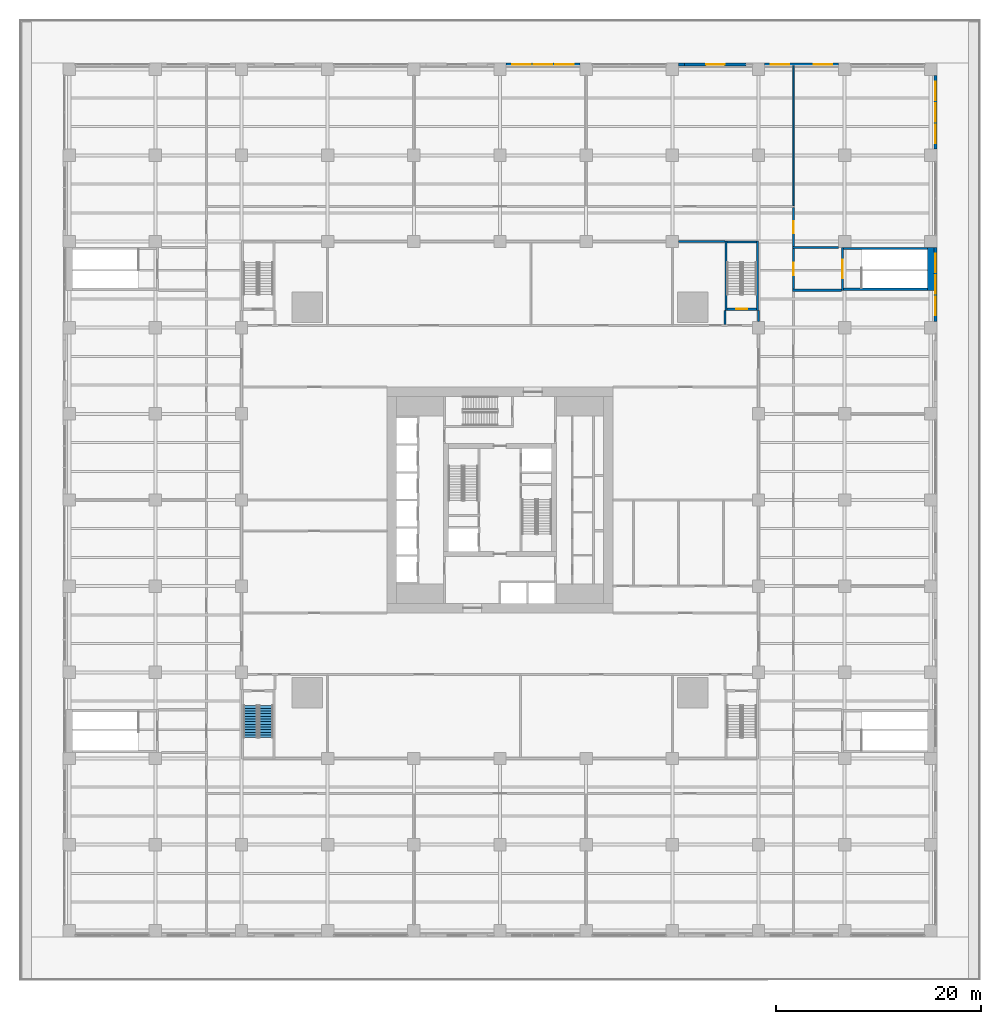
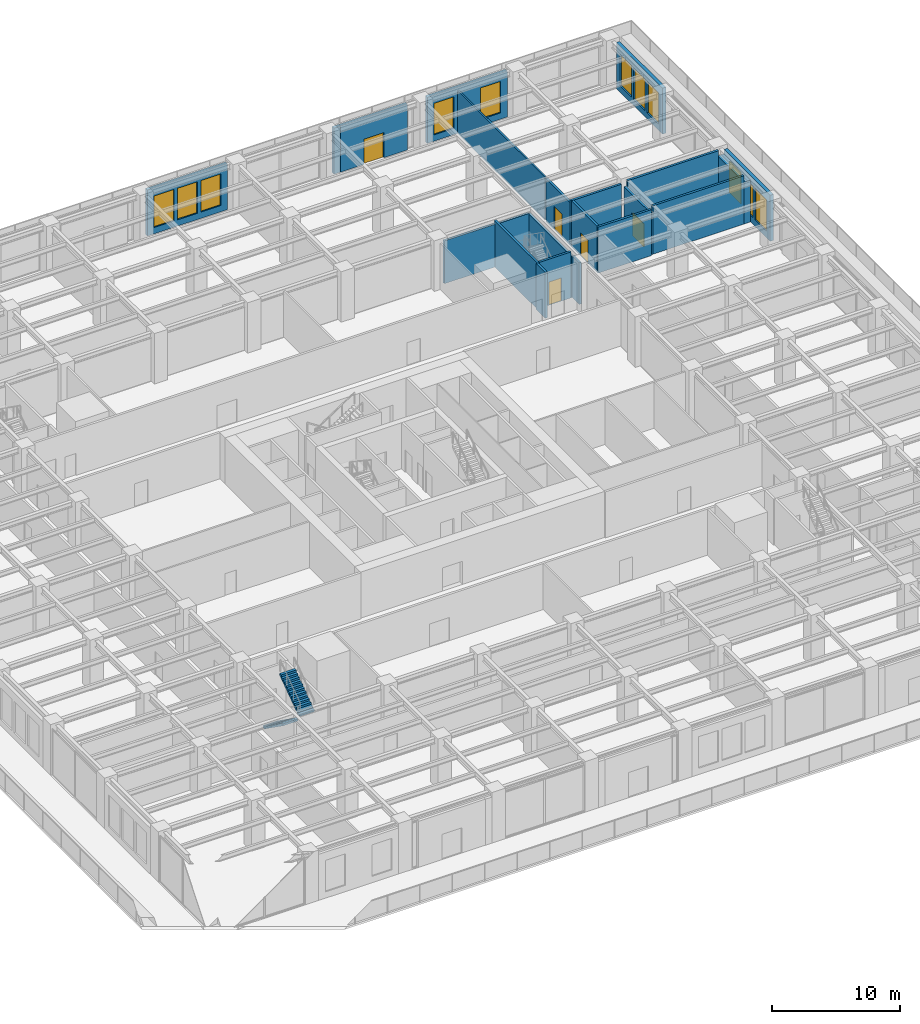
# One storey, part 44 of 53: 22 walls, 11 windows, 5 doors, 2 stair flights, 16 openings, 1 element without a shape of its own.
"""IFC4 building model written with IfcOpenShell, lengths in metres."""

from ifc_helpers import new_model, si_unit, direction, frame, frame_2d, origin, place, context, subcontext, project, spatial, polyline, rectangle, outline, extrude, material, layer, layer_set, type_object, element, fill, aggregate, save


model = new_model("IFC4")

# Units and contexts
model_context = context("Model", 3, precision=1e-05, world=origin(), true_north=direction((0.0, 1.0)))
body_context = subcontext(model_context, "Body", "Model", "MODEL_VIEW")
ifc_project = project(units=[si_unit("LENGTHUNIT", "METRE"), si_unit("AREAUNIT", "SQUARE_METRE"), si_unit("VOLUMEUNIT", "CUBIC_METRE"), si_unit("PLANEANGLEUNIT", "RADIAN"), si_unit("MASSUNIT", "GRAM", prefix="KILO")], contexts=[model_context])

# Site, building, storey
site_placement = place(None, origin())
site = spatial("IfcSite", under=ifc_project, at=site_placement, CompositionType="ELEMENT")
building_placement = place(site_placement, origin())
building = spatial("IfcBuilding", under=site, at=building_placement, Name="Khepri Terraces", CompositionType="ELEMENT")
storey_placement = place(building_placement, frame((0.0, 0.0, 7.199951171875)))
storey = spatial("IfcBuildingStorey", under=building, at=storey_placement, Name="L01", CompositionType="ELEMENT", Elevation=7.199951171875)

# Wall, openings, windows
ifc_material_1 = material(Name="Precast concrete C50/60 warm stone", Category="masonry")
ifc_layer_1 = layer(ifc_material_1, 0.300048828125, Name="Precast concrete C50/60 warm stone", Category="masonry")
ifc_layer_set_1 = layer_set([ifc_layer_1], Name="Precast concrete C50/60 warm stone")
wall_type_1 = type_object("IfcWallType", Name="WL-EXT-PRECAST-300", PredefinedType="STANDARD", material=ifc_layer_set_1)
wall_1_placement = place(storey_placement, frame((42.449951171875, 17.39990234375, 0.0), z_axis=(0.0, 0.0, 1.0), x_axis=(0.0, 1.0, 0.0)))
wall_1 = element("IfcWall", 1, at=wall_1_placement, inside=storey, type_object=wall_type_1, Name="External wall L01 E", PredefinedType="STANDARD", context=body_context, shape_type="SweptSolid", body=[
    extrude(rectangle(XDim=7.2001953125, YDim=0.300048828125, at=frame_2d((3.60009765625, 0.0))), origin(), (0.0, 0.0, 1.0), 4.380126953125),
])
opening_1_placement = place(wall_1_placement, frame((0.60009765625, 0.0, 0.60009765625)))
opening_1 = element("IfcOpeningElement", 2, at=opening_1_placement, cuts=wall_1, Name="Opening WP1", PredefinedType="OPENING", context=body_context, shape_type="SweptSolid", body=[
    extrude(rectangle(XDim=1.800048828125, YDim=3.0, at=frame_2d((0.89990234375, 1.5))), frame((0.0, 0.16015625, 0.0), z_axis=(0.0, -1.0, 0.0), x_axis=(1.0, 0.0, 0.0)), (0.0, 0.0, 1.0), 0.320068359375),
])
opening_2_placement = place(wall_1_placement, frame((2.699951171875, 0.0, 0.60009765625)))
opening_2 = element("IfcOpeningElement", 3, at=opening_2_placement, cuts=wall_1, Name="Opening WP1", PredefinedType="OPENING", context=body_context, shape_type="SweptSolid", body=[
    extrude(rectangle(XDim=1.800048828125, YDim=3.0, at=frame_2d((0.89990234375, 1.5))), frame((0.0, 0.16015625, 0.0), z_axis=(0.0, -1.0, 0.0), x_axis=(1.0, 0.0, 0.0)), (0.0, 0.0, 1.0), 0.320068359375),
])
opening_3_placement = place(wall_1_placement, frame((4.800048828125, 0.0, 0.60009765625)))
opening_3 = element("IfcOpeningElement", 4, at=opening_3_placement, cuts=wall_1, Name="Opening WP1", PredefinedType="OPENING", context=body_context, shape_type="SweptSolid", body=[
    extrude(rectangle(XDim=1.800048828125, YDim=3.0, at=frame_2d((0.89990234375, 1.5))), frame((0.0, 0.16015625, 0.0), z_axis=(0.0, -1.0, 0.0), x_axis=(1.0, 0.0, 0.0)), (0.0, 0.0, 1.0), 0.320068359375),
])
ifc_material_2 = material(Name="Clear glass", Category="glass")
window_type = type_object("IfcWindowType", Name="WIN-POD-1800x3000", PartitioningType="SINGLE_PANEL", PredefinedType="WINDOW", material=ifc_material_2)
window_1_placement = place(opening_1_placement, origin())
window_1 = element("IfcWindow", 5, at=window_1_placement, inside=storey, type_object=window_type, Name="Window L01 E", OverallHeight=3.0, OverallWidth=1.800048828125, PartitioningType="SINGLE_PANEL", PredefinedType="WINDOW", context=body_context, shape_type="SweptSolid", body=[
    extrude(rectangle(XDim=1.800048828125, YDim=3.0, at=frame_2d((0.89990234375, 1.5))), frame((0.0, 0.030029296875, 0.0), z_axis=(0.0, -1.0, 0.0), x_axis=(1.0, 0.0, 0.0)), (0.0, 0.0, 1.0), 0.06005859375),
])
fill(opening_1, window_1)
window_2_placement = place(opening_2_placement, origin())
window_2 = element("IfcWindow", 6, at=window_2_placement, inside=storey, type_object=window_type, Name="Window L01 E", OverallHeight=3.0, OverallWidth=1.800048828125, PartitioningType="SINGLE_PANEL", PredefinedType="WINDOW", context=body_context, shape_type="SweptSolid", body=[
    extrude(rectangle(XDim=1.800048828125, YDim=3.0, at=frame_2d((0.89990234375, 1.5))), frame((0.0, 0.030029296875, 0.0), z_axis=(0.0, -1.0, 0.0), x_axis=(1.0, 0.0, 0.0)), (0.0, 0.0, 1.0), 0.06005859375),
])
fill(opening_2, window_2)
window_3_placement = place(opening_3_placement, origin())
window_3 = element("IfcWindow", 7, at=window_3_placement, inside=storey, type_object=window_type, Name="Window L01 E", OverallHeight=3.0, OverallWidth=1.800048828125, PartitioningType="SINGLE_PANEL", PredefinedType="WINDOW", context=body_context, shape_type="SweptSolid", body=[
    extrude(rectangle(XDim=1.800048828125, YDim=3.0, at=frame_2d((0.89990234375, 1.5))), frame((0.0, 0.030029296875, 0.0), z_axis=(0.0, -1.0, 0.0), x_axis=(1.0, 0.0, 0.0)), (0.0, 0.0, 1.0), 0.06005859375),
])
fill(opening_3, window_3)

wall_2_placement = place(storey_placement, frame((42.449951171875, 34.199951171875, 0.0), z_axis=(0.0, 0.0, 1.0), x_axis=(0.0, 1.0, 0.0)))
wall_2 = element("IfcWall", 8, at=wall_2_placement, inside=storey, type_object=wall_type_1, Name="External wall L01 E", PredefinedType="STANDARD", context=body_context, shape_type="SweptSolid", body=[
    extrude(rectangle(XDim=7.199951171875, YDim=0.300048828125, at=frame_2d((3.60009765625, 0.0))), origin(), (0.0, 0.0, 1.0), 4.380126953125),
])
opening_4_placement = place(wall_2_placement, frame((0.60009765625, 0.0, 0.60009765625)))
opening_4 = element("IfcOpeningElement", 9, at=opening_4_placement, cuts=wall_2, Name="Opening WP1", PredefinedType="OPENING", context=body_context, shape_type="SweptSolid", body=[
    extrude(rectangle(XDim=1.800048828125, YDim=3.0, at=frame_2d((0.89990234375, 1.5))), frame((0.0, 0.16015625, 0.0), z_axis=(0.0, -1.0, 0.0), x_axis=(1.0, 0.0, 0.0)), (0.0, 0.0, 1.0), 0.320068359375),
])
opening_5_placement = place(wall_2_placement, frame((2.699951171875, 0.0, 0.60009765625)))
opening_5 = element("IfcOpeningElement", 10, at=opening_5_placement, cuts=wall_2, Name="Opening WP1", PredefinedType="OPENING", context=body_context, shape_type="SweptSolid", body=[
    extrude(rectangle(XDim=1.800048828125, YDim=3.0, at=frame_2d((0.89990234375, 1.5))), frame((0.0, 0.16015625, 0.0), z_axis=(0.0, -1.0, 0.0), x_axis=(1.0, 0.0, 0.0)), (0.0, 0.0, 1.0), 0.320068359375),
])
opening_6_placement = place(wall_2_placement, frame((4.800048828125, 0.0, 0.60009765625)))
opening_6 = element("IfcOpeningElement", 11, at=opening_6_placement, cuts=wall_2, Name="Opening WP1", PredefinedType="OPENING", context=body_context, shape_type="SweptSolid", body=[
    extrude(rectangle(XDim=1.800048828125, YDim=3.0, at=frame_2d((0.89990234375, 1.5))), frame((0.0, 0.16015625, 0.0), z_axis=(0.0, -1.0, 0.0), x_axis=(1.0, 0.0, 0.0)), (0.0, 0.0, 1.0), 0.320068359375),
])
window_4_placement = place(opening_4_placement, origin())
window_4 = element("IfcWindow", 12, at=window_4_placement, inside=storey, type_object=window_type, Name="Window L01 E", OverallHeight=3.0, OverallWidth=1.800048828125, PartitioningType="SINGLE_PANEL", PredefinedType="WINDOW", context=body_context, shape_type="SweptSolid", body=[
    extrude(rectangle(XDim=1.800048828125, YDim=3.0, at=frame_2d((0.89990234375, 1.5))), frame((0.0, 0.030029296875, 0.0), z_axis=(0.0, -1.0, 0.0), x_axis=(1.0, 0.0, 0.0)), (0.0, 0.0, 1.0), 0.06005859375),
])
fill(opening_4, window_4)
window_5_placement = place(opening_5_placement, origin())
window_5 = element("IfcWindow", 13, at=window_5_placement, inside=storey, type_object=window_type, Name="Window L01 E", OverallHeight=3.0, OverallWidth=1.800048828125, PartitioningType="SINGLE_PANEL", PredefinedType="WINDOW", context=body_context, shape_type="SweptSolid", body=[
    extrude(rectangle(XDim=1.800048828125, YDim=3.0, at=frame_2d((0.89990234375, 1.5))), frame((0.0, 0.030029296875, 0.0), z_axis=(0.0, -1.0, 0.0), x_axis=(1.0, 0.0, 0.0)), (0.0, 0.0, 1.0), 0.06005859375),
])
fill(opening_5, window_5)
window_6_placement = place(opening_6_placement, origin())
window_6 = element("IfcWindow", 14, at=window_6_placement, inside=storey, type_object=window_type, Name="Window L01 E", OverallHeight=3.0, OverallWidth=1.800048828125, PartitioningType="SINGLE_PANEL", PredefinedType="WINDOW", context=body_context, shape_type="SweptSolid", body=[
    extrude(rectangle(XDim=1.800048828125, YDim=3.0, at=frame_2d((0.89990234375, 1.5))), frame((0.0, 0.030029296875, 0.0), z_axis=(0.0, -1.0, 0.0), x_axis=(1.0, 0.0, 0.0)), (0.0, 0.0, 1.0), 0.06005859375),
])
fill(opening_6, window_6)

wall_3_placement = place(storey_placement, frame((33.0, 42.449951171875, 0.0), z_axis=(0.0, 0.0, 1.0), x_axis=(-1.0, 0.0, 0.0)))
wall_3 = element("IfcWall", 15, at=wall_3_placement, inside=storey, type_object=wall_type_1, Name="External wall L01 N", PredefinedType="STANDARD", context=body_context, shape_type="SweptSolid", body=[
    extrude(rectangle(XDim=7.199951171875, YDim=0.300048828125, at=frame_2d((3.60009765625, 0.0))), origin(), (0.0, 0.0, 1.0), 4.380126953125),
])
opening_7_placement = place(wall_3_placement, frame((0.60009765625, 0.0, 0.60009765625)))
opening_7 = element("IfcOpeningElement", 16, at=opening_7_placement, cuts=wall_3, Name="Opening WP1", PredefinedType="OPENING", context=body_context, shape_type="SweptSolid", body=[
    extrude(rectangle(XDim=1.800048828125, YDim=3.0, at=frame_2d((0.89990234375, 1.5))), frame((0.0, 0.16015625, 0.0), z_axis=(0.0, -1.0, 0.0), x_axis=(1.0, 0.0, 0.0)), (0.0, 0.0, 1.0), 0.320068359375),
])
opening_8_placement = place(wall_3_placement, frame((4.800048828125, 0.0, 0.60009765625)))
opening_8 = element("IfcOpeningElement", 17, at=opening_8_placement, cuts=wall_3, Name="Opening WP1", PredefinedType="OPENING", context=body_context, shape_type="SweptSolid", body=[
    extrude(rectangle(XDim=1.800048828125, YDim=3.0, at=frame_2d((0.89990234375, 1.5))), frame((0.0, 0.16015625, 0.0), z_axis=(0.0, -1.0, 0.0), x_axis=(1.0, 0.0, 0.0)), (0.0, 0.0, 1.0), 0.320068359375),
])
window_7_placement = place(opening_7_placement, origin())
window_7 = element("IfcWindow", 18, at=window_7_placement, inside=storey, type_object=window_type, Name="Window L01 N", OverallHeight=3.0, OverallWidth=1.800048828125, PartitioningType="SINGLE_PANEL", PredefinedType="WINDOW", context=body_context, shape_type="SweptSolid", body=[
    extrude(rectangle(XDim=1.800048828125, YDim=3.0, at=frame_2d((0.89990234375, 1.5))), frame((0.0, 0.030029296875, 0.0), z_axis=(0.0, -1.0, 0.0), x_axis=(1.0, 0.0, 0.0)), (0.0, 0.0, 1.0), 0.06005859375),
])
fill(opening_7, window_7)
window_8_placement = place(opening_8_placement, origin())
window_8 = element("IfcWindow", 19, at=window_8_placement, inside=storey, type_object=window_type, Name="Window L01 N", OverallHeight=3.0, OverallWidth=1.800048828125, PartitioningType="SINGLE_PANEL", PredefinedType="WINDOW", context=body_context, shape_type="SweptSolid", body=[
    extrude(rectangle(XDim=1.800048828125, YDim=3.0, at=frame_2d((0.89990234375, 1.5))), frame((0.0, 0.030029296875, 0.0), z_axis=(0.0, -1.0, 0.0), x_axis=(1.0, 0.0, 0.0)), (0.0, 0.0, 1.0), 0.06005859375),
])
fill(opening_8, window_8)

# Wall, opening, door
wall_4_placement = place(storey_placement, frame((24.0, 42.449951171875, 0.0), z_axis=(0.0, 0.0, 1.0), x_axis=(-1.0, 0.0, 0.0)))
wall_4 = element("IfcWall", 20, at=wall_4_placement, inside=storey, type_object=wall_type_1, Name="External wall L01 N", PredefinedType="STANDARD", context=body_context, shape_type="SweptSolid", body=[
    extrude(rectangle(XDim=6.0, YDim=0.300048828125, at=frame_2d((3.0, 0.0))), origin(), (0.0, 0.0, 1.0), 4.380126953125),
])
opening_9_placement = place(wall_4_placement, frame((2.10009765625, 0.0, 0.0)))
opening_9 = element("IfcOpeningElement", 21, at=opening_9_placement, cuts=wall_4, Name="Opening ED-L01-08", PredefinedType="OPENING", context=body_context, shape_type="SweptSolid", body=[
    extrude(rectangle(XDim=1.800048828125, YDim=2.39990234375, at=frame_2d((0.89990234375, 1.199951171875))), frame((0.0, 0.16015625, 0.0), z_axis=(0.0, -1.0, 0.0), x_axis=(1.0, 0.0, 0.0)), (0.0, 0.0, 1.0), 0.320068359375),
])
ifc_material_3 = material(Name="Anodised aluminium bronze glazed door", Category="aluminium")
door_type_1 = type_object("IfcDoorType", Name="DR-BAL-SLIDE-1800x2400", OperationType="NOTDEFINED", PredefinedType="DOOR", material=ifc_material_3)
door_1_placement = place(opening_9_placement, origin())
door_1 = element("IfcDoor", 22, at=door_1_placement, inside=storey, type_object=door_type_1, Name="Balcony door L01 N", OperationType="SLIDING_TO_LEFT", OverallHeight=2.39990234375, OverallWidth=1.800048828125, PredefinedType="DOOR", context=body_context, shape_type="SweptSolid", body=[
    extrude(rectangle(XDim=1.800048828125, YDim=2.39990234375, at=frame_2d((0.89990234375, 1.199951171875))), frame((0.0, 0.02490234375, 0.0), z_axis=(0.0, -1.0, 0.0), x_axis=(1.0, 0.0, 0.0)), (0.0, 0.0, 1.0), 0.050048828125),
])
fill(opening_9, door_1)

# Wall
wall_5_placement = place(storey_placement, frame((18.0, 42.449951171875, 0.0), z_axis=(0.0, 0.0, 1.0), x_axis=(-1.0, 0.0, 0.0)))
element("IfcWall", 23, at=wall_5_placement, inside=storey, type_object=wall_type_1, Name="External wall L01 N", PredefinedType="STANDARD", context=body_context, shape_type="SweptSolid", body=[
    extrude(rectangle(XDim=0.60009765625, YDim=0.300048828125, at=frame_2d((0.300048828125, 0.0))), origin(), (0.0, 0.0, 1.0), 4.380126953125),
])

# Wall, openings, windows
wall_6_placement = place(storey_placement, frame((7.800048828125, 42.449951171875, 0.0), z_axis=(0.0, 0.0, 1.0), x_axis=(-1.0, 0.0, 0.0)))
wall_6 = element("IfcWall", 24, at=wall_6_placement, inside=storey, type_object=wall_type_1, Name="External wall L01 N", PredefinedType="STANDARD", context=body_context, shape_type="SweptSolid", body=[
    extrude(rectangle(XDim=7.199951171875, YDim=0.300048828125, at=frame_2d((3.60009765625, 0.0))), origin(), (0.0, 0.0, 1.0), 4.380126953125),
])
opening_10_placement = place(wall_6_placement, frame((0.60009765625, 0.0, 0.60009765625)))
opening_10 = element("IfcOpeningElement", 25, at=opening_10_placement, cuts=wall_6, Name="Opening WP1", PredefinedType="OPENING", context=body_context, shape_type="SweptSolid", body=[
    extrude(rectangle(XDim=1.800048828125, YDim=3.0, at=frame_2d((0.89990234375, 1.5))), frame((0.0, 0.16015625, 0.0), z_axis=(0.0, -1.0, 0.0), x_axis=(1.0, 0.0, 0.0)), (0.0, 0.0, 1.0), 0.320068359375),
])
opening_11_placement = place(wall_6_placement, frame((2.699951171875, 0.0, 0.60009765625)))
opening_11 = element("IfcOpeningElement", 26, at=opening_11_placement, cuts=wall_6, Name="Opening WP1", PredefinedType="OPENING", context=body_context, shape_type="SweptSolid", body=[
    extrude(rectangle(XDim=1.800048828125, YDim=3.0, at=frame_2d((0.89990234375, 1.5))), frame((0.0, 0.16015625, 0.0), z_axis=(0.0, -1.0, 0.0), x_axis=(1.0, 0.0, 0.0)), (0.0, 0.0, 1.0), 0.320068359375),
])
opening_12_placement = place(wall_6_placement, frame((4.800048828125, 0.0, 0.60009765625)))
opening_12 = element("IfcOpeningElement", 27, at=opening_12_placement, cuts=wall_6, Name="Opening WP1", PredefinedType="OPENING", context=body_context, shape_type="SweptSolid", body=[
    extrude(rectangle(XDim=1.800048828125, YDim=3.0, at=frame_2d((0.89990234375, 1.5))), frame((0.0, 0.16015625, 0.0), z_axis=(0.0, -1.0, 0.0), x_axis=(1.0, 0.0, 0.0)), (0.0, 0.0, 1.0), 0.320068359375),
])
window_9_placement = place(opening_10_placement, origin())
window_9 = element("IfcWindow", 28, at=window_9_placement, inside=storey, type_object=window_type, Name="Window L01 N", OverallHeight=3.0, OverallWidth=1.800048828125, PartitioningType="SINGLE_PANEL", PredefinedType="WINDOW", context=body_context, shape_type="SweptSolid", body=[
    extrude(rectangle(XDim=1.800048828125, YDim=3.0, at=frame_2d((0.89990234375, 1.5))), frame((0.0, 0.030029296875, 0.0), z_axis=(0.0, -1.0, 0.0), x_axis=(1.0, 0.0, 0.0)), (0.0, 0.0, 1.0), 0.06005859375),
])
fill(opening_10, window_9)
window_10_placement = place(opening_11_placement, origin())
window_10 = element("IfcWindow", 29, at=window_10_placement, inside=storey, type_object=window_type, Name="Window L01 N", OverallHeight=3.0, OverallWidth=1.800048828125, PartitioningType="SINGLE_PANEL", PredefinedType="WINDOW", context=body_context, shape_type="SweptSolid", body=[
    extrude(rectangle(XDim=1.800048828125, YDim=3.0, at=frame_2d((0.89990234375, 1.5))), frame((0.0, 0.030029296875, 0.0), z_axis=(0.0, -1.0, 0.0), x_axis=(1.0, 0.0, 0.0)), (0.0, 0.0, 1.0), 0.06005859375),
])
fill(opening_11, window_10)
window_11_placement = place(opening_12_placement, origin())
window_11 = element("IfcWindow", 30, at=window_11_placement, inside=storey, type_object=window_type, Name="Window L01 N", OverallHeight=3.0, OverallWidth=1.800048828125, PartitioningType="SINGLE_PANEL", PredefinedType="WINDOW", context=body_context, shape_type="SweptSolid", body=[
    extrude(rectangle(XDim=1.800048828125, YDim=3.0, at=frame_2d((0.89990234375, 1.5))), frame((0.0, 0.030029296875, 0.0), z_axis=(0.0, -1.0, 0.0), x_axis=(1.0, 0.0, 0.0)), (0.0, 0.0, 1.0), 0.06005859375),
])
fill(opening_12, window_11)

# Walls
ifc_material_4 = material(Name="Gypsum board partition")
ifc_layer_2 = layer(ifc_material_4, 0.14990234375, Name="Gypsum board partition")
ifc_layer_set_2 = layer_set([ifc_layer_2], Name="Gypsum board partition")
wall_type_2 = type_object("IfcWallType", Name="WL-POD-150", PredefinedType="PARTITIONING", material=ifc_layer_set_2)
wall_7_placement = place(storey_placement, frame((28.60009765625, 28.699951171875, 0.0), z_axis=(0.0, 0.0, 1.0), x_axis=(0.0, 1.0, 0.0)))
element("IfcWall", 31, at=wall_7_placement, inside=storey, type_object=wall_type_2, Name="Partition L01-PW085", PredefinedType="PARTITIONING", context=body_context, shape_type="SweptSolid", body=[
    extrude(rectangle(XDim=13.650146484375, YDim=0.14990234375, at=frame_2d((6.8251953125, 0.0))), origin(), (0.0, 0.0, 1.0), 4.080078125),
])
ifc_material_5 = material(Name="Fire-rated block wall")
ifc_layer_3 = layer(ifc_material_5, 0.199951171875, Name="Fire-rated block wall")
ifc_layer_set_3 = layer_set([ifc_layer_3], Name="Fire-rated block wall")
wall_type_3 = type_object("IfcWallType", Name="WL-POD-200-EI120", PredefinedType="PARTITIONING", material=ifc_layer_set_3)
wall_8_placement = place(storey_placement, frame((28.5, 20.449951171875, 0.0), z_axis=(0.0, 0.0, 1.0), x_axis=(1.0, 0.0, 0.0)))
element("IfcWall", 32, at=wall_8_placement, inside=storey, type_object=wall_type_3, Name="Partition L01-PW029", PredefinedType="PARTITIONING", context=body_context, shape_type="SweptSolid", body=[
    extrude(rectangle(XDim=4.800048828125, YDim=0.199951171875, at=frame_2d((2.39990234375, 0.0))), origin(), (0.0, 0.0, 1.0), 4.380126953125),
])
wall_9_placement = place(storey_placement, frame((28.5, 24.60009765625, 0.0), z_axis=(0.0, 0.0, 1.0), x_axis=(1.0, 0.0, 0.0)))
element("IfcWall", 33, at=wall_9_placement, inside=storey, type_object=wall_type_3, Name="Partition L01-PW031", PredefinedType="PARTITIONING", context=body_context, shape_type="SweptSolid", body=[
    extrude(rectangle(XDim=4.5, YDim=0.199951171875, at=frame_2d((2.25, 0.0))), origin(), (0.0, 0.0, 1.0), 4.380126953125),
])

# Wall, opening, door
wall_10_placement = place(storey_placement, frame((28.60009765625, 20.550048828125, 0.0), z_axis=(0.0, 0.0, 1.0), x_axis=(0.0, 1.0, 0.0)))
wall_10 = element("IfcWall", 34, at=wall_10_placement, inside=storey, type_object=wall_type_3, Name="Partition L01-PW083", PredefinedType="PARTITIONING", context=body_context, shape_type="SweptSolid", body=[
    extrude(rectangle(XDim=3.949951171875, YDim=0.199951171875, at=frame_2d((1.97509765625, 0.0))), origin(), (0.0, 0.0, 1.0), 4.380126953125),
])
opening_13_placement = place(wall_10_placement, frame((1.375, 0.0, 0.0)))
opening_13 = element("IfcOpeningElement", 35, at=opening_13_placement, cuts=wall_10, Name="Opening L01-P39", PredefinedType="OPENING", context=body_context, shape_type="SweptSolid", body=[
    extrude(rectangle(XDim=1.199951171875, YDim=2.199951171875, at=frame_2d((0.60009765625, 1.10009765625))), frame((0.0, 0.10986328125, 0.0), z_axis=(0.0, -1.0, 0.0), x_axis=(1.0, 0.0, 0.0)), (0.0, 0.0, 1.0), 0.219970703125),
])
ifc_material_6 = material(Name="Painted steel", Category="steel")
door_type_2 = type_object("IfcDoorType", Name="DR-POD-FIRE-1200", OperationType="NOTDEFINED", PredefinedType="DOOR", material=ifc_material_6)
door_2_placement = place(opening_13_placement, origin())
door_2 = element("IfcDoor", 36, at=door_2_placement, inside=storey, type_object=door_type_2, Name="Fire door L01-P39", OperationType="SINGLE_SWING_RIGHT", OverallHeight=2.199951171875, OverallWidth=1.199951171875, PredefinedType="DOOR", context=body_context, shape_type="SweptSolid", body=[
    extrude(rectangle(XDim=1.199951171875, YDim=2.199951171875, at=frame_2d((0.60009765625, 1.10009765625))), frame((0.0, 0.02490234375, 0.0), z_axis=(0.0, -1.0, 0.0), x_axis=(1.0, 0.0, 0.0)), (0.0, 0.0, 1.0), 0.050048828125),
])
fill(opening_13, door_2)

# Walls
ifc_layer_4 = layer(ifc_material_5, 0.199951171875, Name="Fire-rated block wall")
ifc_layer_set_4 = layer_set([ifc_layer_4], Name="Fire-rated block wall")
wall_type_4 = type_object("IfcWallType", Name="WL-POD-200-EI60", PredefinedType="PARTITIONING", material=ifc_layer_set_4)
wall_11_placement = place(storey_placement, frame((17.39990234375, 25.199951171875, 0.0), z_axis=(0.0, 0.0, 1.0), x_axis=(1.0, 0.0, 0.0)))
element("IfcWall", 37, at=wall_11_placement, inside=storey, type_object=wall_type_4, Name="Partition L01-PW037", PredefinedType="PARTITIONING", context=body_context, shape_type="SweptSolid", body=[
    extrude(rectangle(XDim=4.550048828125, YDim=0.199951171875, at=frame_2d((2.27490234375, 0.0))), origin(), (0.0, 0.0, 1.0), 4.080078125),
])
wall_12_placement = place(storey_placement, frame((21.949951171875, 17.10009765625, 0.0), z_axis=(0.0, 0.0, 1.0), x_axis=(0.0, 1.0, 0.0)))
element("IfcWall", 38, at=wall_12_placement, inside=storey, type_object=wall_type_4, Name="Partition L01-PW072", PredefinedType="PARTITIONING", context=body_context, shape_type="SweptSolid", body=[
    extrude(rectangle(XDim=1.39990234375, YDim=0.199951171875, at=frame_2d((0.699951171875, 0.0))), origin(), (0.0, 0.0, 1.0), 4.380126953125),
])
wall_13_placement = place(storey_placement, frame((25.199951171875, 17.39990234375, 0.0), z_axis=(0.0, 0.0, 1.0), x_axis=(0.0, 1.0, 0.0)))
element("IfcWall", 39, at=wall_13_placement, inside=storey, type_object=wall_type_4, Name="Partition L01-PW078", PredefinedType="PARTITIONING", context=body_context, shape_type="SweptSolid", body=[
    extrude(rectangle(XDim=1.10009765625, YDim=0.199951171875, at=frame_2d((0.550048828125, 0.0))), origin(), (0.0, 0.0, 1.0), 3.97998046875),
])

# Wall, opening, door
wall_14_placement = place(storey_placement, frame((28.60009765625, 24.699951171875, 0.0), z_axis=(0.0, 0.0, 1.0), x_axis=(0.0, 1.0, 0.0)))
wall_14 = element("IfcWall", 40, at=wall_14_placement, inside=storey, type_object=wall_type_4, Name="Partition L01-PW084", PredefinedType="PARTITIONING", context=body_context, shape_type="SweptSolid", body=[
    extrude(rectangle(XDim=3.800048828125, YDim=0.199951171875, at=frame_2d((1.89990234375, 0.0))), origin(), (0.0, 0.0, 1.0), 4.080078125),
])
opening_14_placement = place(wall_14_placement, frame((1.300048828125, 0.0, 0.0)))
opening_14 = element("IfcOpeningElement", 41, at=opening_14_placement, cuts=wall_14, Name="Opening L01-P41", PredefinedType="OPENING", context=body_context, shape_type="SweptSolid", body=[
    extrude(rectangle(XDim=1.199951171875, YDim=2.199951171875, at=frame_2d((0.60009765625, 1.10009765625))), frame((0.0, 0.10986328125, 0.0), z_axis=(0.0, -1.0, 0.0), x_axis=(1.0, 0.0, 0.0)), (0.0, 0.0, 1.0), 0.219970703125),
])
ifc_material_7 = material(Name="Timber veneer", Category="wood")
door_type_3 = type_object("IfcDoorType", Name="DR-POD-SINGLE-1200", OperationType="NOTDEFINED", PredefinedType="DOOR", material=ifc_material_7)
door_3_placement = place(opening_14_placement, origin())
door_3 = element("IfcDoor", 42, at=door_3_placement, inside=storey, type_object=door_type_3, Name="Door L01-P41", OperationType="SINGLE_SWING_RIGHT", OverallHeight=2.199951171875, OverallWidth=1.199951171875, PredefinedType="DOOR", context=body_context, shape_type="SweptSolid", body=[
    extrude(rectangle(XDim=1.199951171875, YDim=2.199951171875, at=frame_2d((0.60009765625, 1.10009765625))), frame((0.0, 0.02490234375, 0.0), z_axis=(0.0, -1.0, 0.0), x_axis=(1.0, 0.0, 0.0)), (0.0, 0.0, 1.0), 0.050048828125),
])
fill(opening_14, door_3)

# Walls
ifc_material_8 = material(Name="Concrete C40/50", Category="concrete")
ifc_layer_5 = layer(ifc_material_8, 0.199951171875, Name="Concrete C40/50", Category="concrete")
ifc_layer_set_5 = layer_set([ifc_layer_5], Name="Concrete C40/50")
wall_type_5 = type_object("IfcWallType", Name="WL-POD-STAIR-200", PredefinedType="SOLIDWALL", material=ifc_layer_set_5)
wall_15_placement = place(storey_placement, frame((22.050048828125, 18.5, 0.0), z_axis=(0.0, 0.0, 1.0), x_axis=(0.0, 1.0, 0.0)))
element("IfcWall", 43, at=wall_15_placement, inside=storey, type_object=wall_type_5, Name="Stair enclosure PS-1 L01-W", PredefinedType="SOLIDWALL", context=body_context, shape_type="SweptSolid", body=[
    extrude(rectangle(XDim=6.739990234375, YDim=0.199951171875, at=frame_2d((3.3701171875, 0.0))), origin(), (0.0, 0.0, 1.0), 4.380126953125),
])
wall_16_placement = place(storey_placement, frame((25.10009765625, 18.5, 0.0), z_axis=(0.0, 0.0, 1.0), x_axis=(0.0, 1.0, 0.0)))
element("IfcWall", 44, at=wall_16_placement, inside=storey, type_object=wall_type_5, Name="Stair enclosure PS-1 L01-E", PredefinedType="SOLIDWALL", context=body_context, shape_type="SweptSolid", body=[
    extrude(rectangle(XDim=6.739990234375, YDim=0.199951171875, at=frame_2d((3.3701171875, 0.0))), origin(), (0.0, 0.0, 1.0), 3.97998046875),
])

# Wall, opening, door
wall_17_placement = place(storey_placement, frame((22.14990234375, 18.60009765625, 0.0), z_axis=(0.0, 0.0, 1.0), x_axis=(1.0, 0.0, 0.0)))
wall_17 = element("IfcWall", 45, at=wall_17_placement, inside=storey, type_object=wall_type_5, Name="Stair enclosure PS-1 L01-S", PredefinedType="SOLIDWALL", context=body_context, shape_type="SweptSolid", body=[
    extrude(rectangle(XDim=2.85009765625, YDim=0.199951171875, at=frame_2d((1.425048828125, 0.0))), origin(), (0.0, 0.0, 1.0), 4.380126953125),
])
opening_15_placement = place(wall_17_placement, frame((0.875, 0.0, 0.0)))
opening_15 = element("IfcOpeningElement", 46, at=opening_15_placement, cuts=wall_17, Name="Opening L01-PS-1D", PredefinedType="OPENING", context=body_context, shape_type="SweptSolid", body=[
    extrude(rectangle(XDim=1.10009765625, YDim=2.199951171875, at=frame_2d((0.550048828125, 1.10009765625))), frame((0.0, 0.10986328125, 0.0), z_axis=(0.0, -1.0, 0.0), x_axis=(1.0, 0.0, 0.0)), (0.0, 0.0, 1.0), 0.219970703125),
])
door_type_4 = type_object("IfcDoorType", Name="DR-POD-STAIR-1100", OperationType="NOTDEFINED", PredefinedType="DOOR", material=ifc_material_6)
door_4_placement = place(opening_15_placement, origin())
door_4 = element("IfcDoor", 47, at=door_4_placement, inside=storey, type_object=door_type_4, Name="Stair door L01-PS-1D", OperationType="SINGLE_SWING_RIGHT", OverallHeight=2.199951171875, OverallWidth=1.10009765625, PredefinedType="DOOR", context=body_context, shape_type="SweptSolid", body=[
    extrude(rectangle(XDim=1.10009765625, YDim=2.199951171875, at=frame_2d((0.550048828125, 1.10009765625))), frame((0.0, 0.02490234375, 0.0), z_axis=(0.0, -1.0, 0.0), x_axis=(1.0, 0.0, 0.0)), (0.0, 0.0, 1.0), 0.050048828125),
])
fill(opening_15, door_4)

# Wall
wall_18_placement = place(storey_placement, frame((22.14990234375, 25.139892578125, 0.0), z_axis=(0.0, 0.0, 1.0), x_axis=(1.0, 0.0, 0.0)))
element("IfcWall", 48, at=wall_18_placement, inside=storey, type_object=wall_type_5, Name="Stair enclosure PS-1 L01-N", PredefinedType="SOLIDWALL", context=body_context, shape_type="SweptSolid", body=[
    extrude(rectangle(XDim=2.85009765625, YDim=0.199951171875, at=frame_2d((1.425048828125, 0.0))), origin(), (0.0, 0.0, 1.0), 4.080078125),
])

# Wall, opening, door
wall_19_placement = place(storey_placement, frame((33.39990234375, 20.449951171875, 0.0), z_axis=(0.0, 0.0, 1.0), x_axis=(0.0, 1.0, 0.0)))
wall_19 = element("IfcWall", 49, at=wall_19_placement, inside=storey, type_object=wall_type_5, Name="Stair enclosure PS-6 L01-W", PredefinedType="SOLIDWALL", context=body_context, shape_type="SweptSolid", body=[
    extrude(rectangle(XDim=4.150146484375, YDim=0.199951171875, at=frame_2d((2.0751953125, 0.0))), origin(), (0.0, 0.0, 1.0), 3.97998046875),
])
opening_16_placement = place(wall_19_placement, frame((1.175048828125, 0.0, 0.0)))
opening_16 = element("IfcOpeningElement", 50, at=opening_16_placement, cuts=wall_19, Name="Opening L01-PS-6D", PredefinedType="OPENING", context=body_context, shape_type="SweptSolid", body=[
    extrude(rectangle(XDim=1.800048828125, YDim=2.199951171875, at=frame_2d((0.89990234375, 1.10009765625))), frame((0.0, 0.10986328125, 0.0), z_axis=(0.0, -1.0, 0.0), x_axis=(1.0, 0.0, 0.0)), (0.0, 0.0, 1.0), 0.219970703125),
])
door_type_5 = type_object("IfcDoorType", Name="DR-POD-STAIR-PAIR-1800", OperationType="DOUBLE_DOOR_SINGLE_SWING", PredefinedType="DOOR", material=ifc_material_6)
door_5_placement = place(opening_16_placement, origin())
door_5 = element("IfcDoor", 51, at=door_5_placement, inside=storey, type_object=door_type_5, Name="Stair door L01-PS-6D", OperationType="DOUBLE_DOOR_SINGLE_SWING", OverallHeight=2.199951171875, OverallWidth=1.800048828125, PredefinedType="DOOR", context=body_context, shape_type="SweptSolid", body=[
    extrude(rectangle(XDim=1.800048828125, YDim=2.199951171875, at=frame_2d((0.89990234375, 1.10009765625))), frame((0.0, 0.02490234375, 0.0), z_axis=(0.0, -1.0, 0.0), x_axis=(1.0, 0.0, 0.0)), (0.0, 0.0, 1.0), 0.050048828125),
])
fill(opening_16, door_5)

# Walls
for number, where, z_axis, x_axis, name in (
    (52, (33.5, 20.550048828125, 0.0), (0.0, 0.0, 1.0), (1.0, 0.0, 0.0), "Stair enclosure PS-6 L01-S"),
    (53, (33.5, 24.5, 0.0), (0.0, 0.0, 1.0), (1.0, 0.0, 0.0), "Stair enclosure PS-6 L01-N"),
):
    element("IfcWall", number, at=place(storey_placement, frame(where, z_axis=z_axis, x_axis=x_axis)), inside=storey, type_object=wall_type_5, Name=name, PredefinedType="SOLIDWALL", context=body_context, shape_type="SweptSolid", body=[
        extrude(rectangle(XDim=8.199951171875, YDim=0.199951171875, at=frame_2d((4.10009765625, 0.0))), origin(), (0.0, 0.0, 1.0), 4.60009765625),
    ])
ifc_layer_6 = layer(ifc_material_8, 0.60009765625, Name="Concrete C40/50", Category="concrete")
ifc_layer_set_6 = layer_set([ifc_layer_6], Name="Concrete C40/50")
wall_type_6 = type_object("IfcWallType", Name="WL-POD-STAIR-600", PredefinedType="SOLIDWALL", material=ifc_layer_set_6)
wall_20_placement = place(storey_placement, frame((42.0, 20.449951171875, 0.0), z_axis=(0.0, 0.0, 1.0), x_axis=(0.0, 1.0, 0.0)))
element("IfcWall", 54, at=wall_20_placement, inside=storey, type_object=wall_type_6, Name="Stair enclosure PS-6 L01-E", PredefinedType="SOLIDWALL", context=body_context, shape_type="SweptSolid", body=[
    extrude(rectangle(XDim=4.150146484375, YDim=0.60009765625, at=frame_2d((2.0751953125, 0.0))), origin(), (0.0, 0.0, 1.0), 3.97998046875),
])

# Stair, stair flights
stair_type = type_object("IfcStairType", Name="ST-POD", PredefinedType="HALF_TURN_STAIR", material=ifc_material_8)
stair_placement = place(storey_placement, origin())
stair = element("IfcStair", 55, at=stair_placement, inside=storey, type_object=stair_type, Name="L01 Exit Stair PS-4", PredefinedType="HALF_TURN_STAIR")
stair_flight_type = type_object("IfcStairFlightType", Name="SFL-POD", PredefinedType="STRAIGHT", material=ifc_material_8)
stair_flight_1_placement = place(storey_placement, frame((-24.324951171875, -20.050048828125, 0.0), z_axis=(0.0, 0.0, 1.0), x_axis=(0.0, -1.0, 0.0)))
stair_flight_1 = element("IfcStairFlight", 56, at=stair_flight_1_placement, type_object=stair_flight_type, Name="PS-4 flight 1", NumberOfRisers=13, NumberOfTreads=12, PredefinedType="STRAIGHT", RiserHeight=0.184615385, TreadLength=0.26, context=body_context, shape_type="SweptSolid", body=[
    extrude(outline(polyline([(0.0, 0.0), (0.0, 0.1845703125), (0.260009765625, 0.1845703125), (0.260009765625, 0.369140625), (0.52001953125, 0.369140625), (0.52001953125, 0.553955078125), (0.780029296875, 0.553955078125), (0.780029296875, 0.738525390625), (1.0400390625, 0.738525390625), (1.0400390625, 0.923095703125), (1.300048828125, 0.923095703125), (1.300048828125, 1.107666015625), (1.56005859375, 1.107666015625), (1.56005859375, 1.292236328125), (1.820068359375, 1.292236328125), (1.820068359375, 1.476806640625), (2.080078125, 1.476806640625), (2.080078125, 1.66162109375), (2.340087890625, 1.66162109375), (2.340087890625, 1.84619140625), (2.60009765625, 1.84619140625), (2.60009765625, 2.03076171875), (2.860107421875, 2.03076171875), (2.860107421875, 2.21533203125), (3.1201171875, 2.21533203125), (3.1201171875, 2.39990234375), (3.1201171875, 2.031494140625), (0.259033203125, 0.0), (0.0, 0.0)])), frame((0.0, 0.675048828125, 0.0), z_axis=(0.0, -1.0, 0.0), x_axis=(1.0, 0.0, 0.0)), (0.0, 0.0, 1.0), 1.35009765625),
])
stair_flight_2_placement = place(storey_placement, frame((-22.824951171875, -23.169921875, 2.400146484375), z_axis=(0.0, 0.0, 1.0), x_axis=(0.0, 1.0, 0.0)))
stair_flight_2 = element("IfcStairFlight", 57, at=stair_flight_2_placement, type_object=stair_flight_type, Name="PS-4 flight 2", NumberOfRisers=13, NumberOfTreads=12, PredefinedType="STRAIGHT", RiserHeight=0.184615385, TreadLength=0.26, context=body_context, shape_type="SweptSolid", body=[
    extrude(outline(polyline([(0.0, 0.0), (0.0, 0.1845703125), (0.260009765625, 0.1845703125), (0.260009765625, 0.369140625), (0.52001953125, 0.369140625), (0.52001953125, 0.553955078125), (0.780029296875, 0.553955078125), (0.780029296875, 0.738525390625), (1.0400390625, 0.738525390625), (1.0400390625, 0.923095703125), (1.300048828125, 0.923095703125), (1.300048828125, 1.107666015625), (1.56005859375, 1.107666015625), (1.56005859375, 1.292236328125), (1.820068359375, 1.292236328125), (1.820068359375, 1.476806640625), (2.080078125, 1.476806640625), (2.080078125, 1.66162109375), (2.340087890625, 1.66162109375), (2.340087890625, 1.84619140625), (2.60009765625, 1.84619140625), (2.60009765625, 2.03076171875), (2.860107421875, 2.03076171875), (2.860107421875, 2.21533203125), (3.1201171875, 2.21533203125), (3.1201171875, 2.39990234375), (3.1201171875, 2.031494140625), (0.259033203125, 0.0), (0.0, 0.0)])), frame((0.0, 0.675048828125, 0.0), z_axis=(0.0, -1.0, 0.0), x_axis=(1.0, 0.0, 0.0)), (0.0, 0.0, 1.0), 1.35009765625),
])
aggregate(stair, [stair_flight_1, stair_flight_2])

save(model, "model.ifc")
